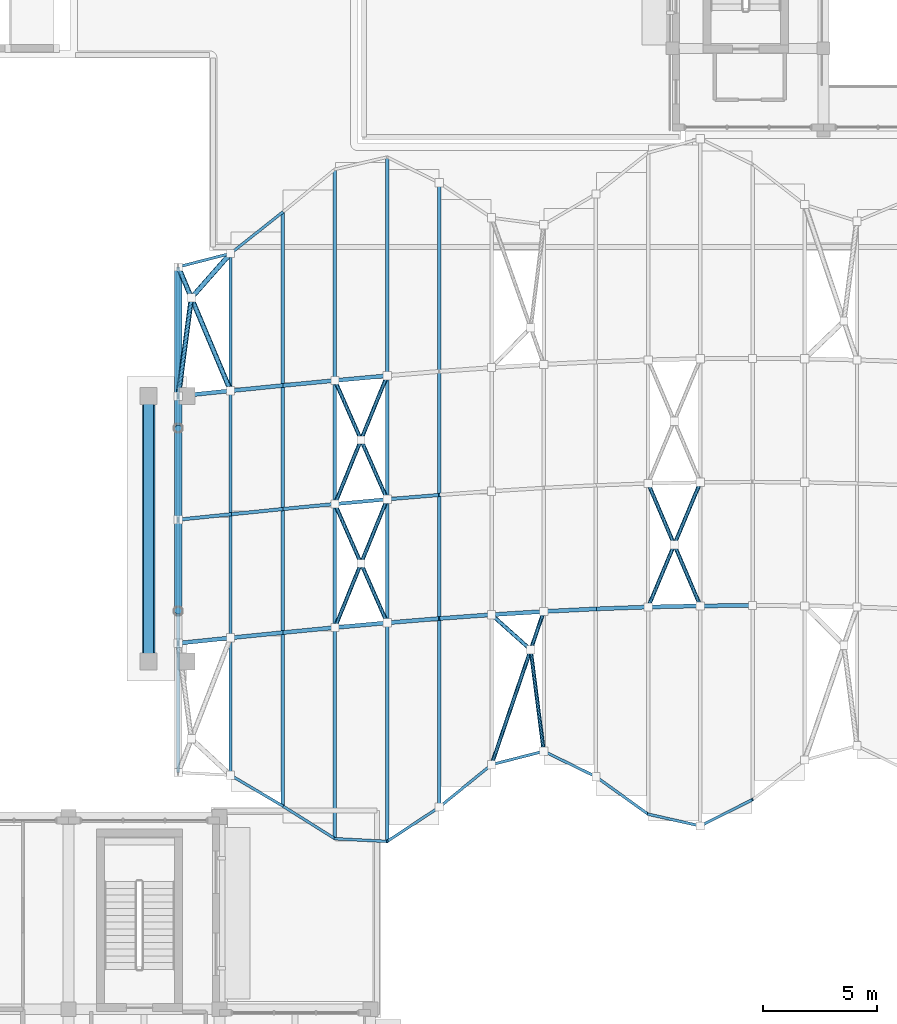
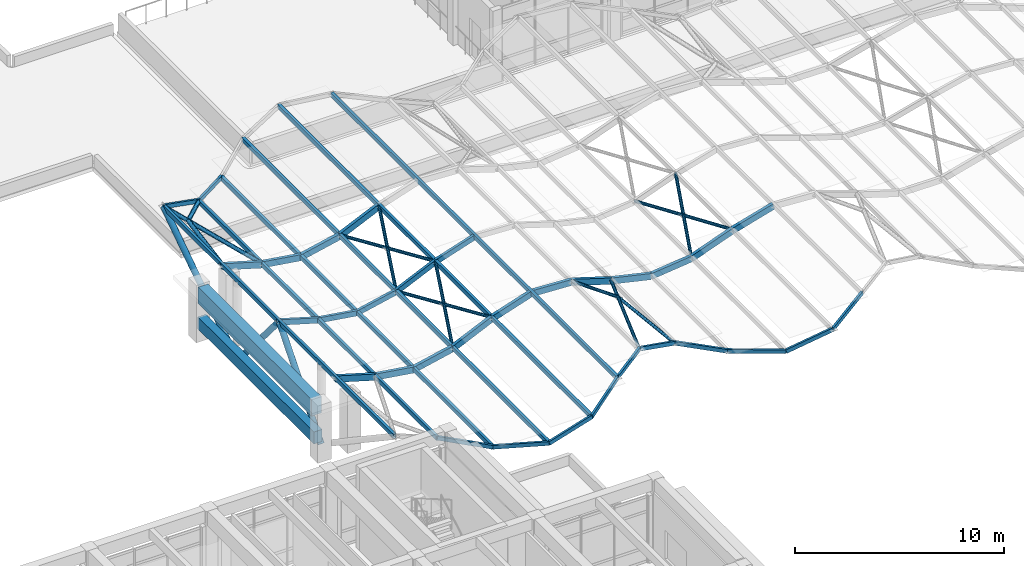
# One storey, part 10 of 79: 56 members, 2 beams.
"""IFC4 building model written with IfcOpenShell, lengths in metres."""

from ifc_helpers import new_model, si_unit, direction, frame, origin, origin_2d, place, context, subcontext, project, spatial, rectangle, hollow_rectangle, hollow_circle, extrude, material, material_profile, profile_set, type_object, element, save


model = new_model("IFC4")

# Units and contexts
model_context = context("Model", 3, precision=1e-05, world=origin(), true_north=direction((0.0, 1.0)))
body_context = subcontext(model_context, "Body", "Model", "MODEL_VIEW")
ifc_project = project(units=[si_unit("LENGTHUNIT", "METRE"), si_unit("AREAUNIT", "SQUARE_METRE"), si_unit("VOLUMEUNIT", "CUBIC_METRE"), si_unit("PLANEANGLEUNIT", "RADIAN"), si_unit("MASSUNIT", "GRAM", prefix="KILO")], contexts=[model_context])

# Site, building, storey
site_placement = place(None, origin())
site = spatial("IfcSite", under=ifc_project, at=site_placement, CompositionType="ELEMENT")
building_placement = place(site_placement, origin())
building = spatial("IfcBuilding", under=site, at=building_placement, Name="Kolvaren Faculty of Natural Sciences", CompositionType="ELEMENT")
storey_placement = place(building_placement, frame((0.0, 0.0, 10.199951171875)))
storey = spatial("IfcBuildingStorey", under=building, at=storey_placement, Name="L02", CompositionType="ELEMENT", Elevation=10.199951171875)

# Members
ifc_material_1 = material(Name="Structural steel EN 10210-1 S355J2H (white architectural finish)", Category="steel")
ifc_material_profile_1 = material_profile(ifc_material_1, hollow_circle(Radius=0.084228515625, WallThickness=0.008056640625, at=origin_2d()), Name="CHS 168.3x8")
ifc_profile_set_1 = profile_set([ifc_material_profile_1], Name="Structural steel EN 10210-1 S355J2H (white architectural finish)")
member_type_1 = type_object("IfcMemberType", Name="CanopyGridCrossBrace_CHS168", PredefinedType="BRACE", material=ifc_profile_set_1)
member_1_placement = place(storey_placement, frame((44.845458984375, 50.4853515625, 2.678955078125), z_axis=(0.373546791192, 0.917879527041, 0.134014807497), x_axis=(-0.926234785909, 0.376947106863, 0.0)))
element("IfcMember", 1, at=member_1_placement, inside=storey, type_object=member_type_1, Name="Canopy X-brace continuous diagonal S2-4-A", PredefinedType="BRACE", context=body_context, shape_type="SweptSolid", body=[
    extrude(hollow_circle(Radius=0.084228515625, WallThickness=0.008056640625, at=origin_2d()), origin(), (0.0, 0.0, 1.0), 6.1083984375),
])
for number, where, z_axis, x_axis, name in (
    (2, (44.845458984375, 55.885498046875, 2.678955078125), (0.398123505849, -0.906150568845, 0.142789427734), (0.915531942183, 0.402245276967, 0.0), "Canopy X-brace split diagonal S2-4-B1"),
    (3, (45.986328125, 53.288818359375, 3.088134765625), (0.398118661254, -0.906139542284, 0.14287288571), (0.915531942183, 0.402245276967, 0.0), "Canopy X-brace split diagonal S2-4-B2"),
):
    element("IfcMember", number, at=place(storey_placement, frame(where, z_axis=z_axis, x_axis=x_axis)), inside=storey, type_object=member_type_1, Name=name, PredefinedType="BRACE", context=body_context, shape_type="SweptSolid", body=[
        extrude(hollow_circle(Radius=0.084228515625, WallThickness=0.008056640625, at=origin_2d()), origin(), (0.0, 0.0, 1.0), 2.86572265625),
    ])
member_2_placement = place(storey_placement, frame((44.845458984375, 61.285400390625, 2.678955078125), z_axis=(0.39812108389, -0.906145056336, 0.142831157103), x_axis=(0.915531942183, 0.402245276967, 0.0)))
element("IfcMember", 4, at=member_2_placement, inside=storey, type_object=member_type_1, Name="Canopy X-brace continuous diagonal N2-4-A", PredefinedType="BRACE", context=body_context, shape_type="SweptSolid", body=[
    extrude(hollow_circle(Radius=0.084228515625, WallThickness=0.008056640625, at=origin_2d()), origin(), (0.0, 0.0, 1.0), 5.731201171875),
])
member_3_placement = place(storey_placement, frame((44.845458984375, 55.885498046875, 2.678955078125), z_axis=(0.373562496529, 0.917878147901, 0.133980471685), x_axis=(-0.926229054785, 0.376961189079, 0.0)))
element("IfcMember", 5, at=member_3_placement, inside=storey, type_object=member_type_1, Name="Canopy X-brace split diagonal N2-4-B1", PredefinedType="BRACE", context=body_context, shape_type="SweptSolid", body=[
    extrude(hollow_circle(Radius=0.084228515625, WallThickness=0.008056640625, at=origin_2d()), origin(), (0.0, 0.0, 1.0), 3.053955078125),
])
member_4_placement = place(storey_placement, frame((45.986328125, 58.688720703125, 3.088134765625), z_axis=(0.373531086643, 0.917880904755, 0.134049140231), x_axis=(-0.926240516391, 0.376933025611, 0.0)))
element("IfcMember", 6, at=member_4_placement, inside=storey, type_object=member_type_1, Name="Canopy X-brace split diagonal N2-4-B2", PredefinedType="BRACE", context=body_context, shape_type="SweptSolid", body=[
    extrude(hollow_circle(Radius=0.084228515625, WallThickness=0.008056640625, at=origin_2d()), origin(), (0.0, 0.0, 1.0), 3.05419921875),
])
member_5_placement = place(storey_placement, frame((51.69091796875, 44.492919921875, 3.81494140625), z_axis=(0.320515150213, 0.940454415182, -0.113205704136), x_axis=(-0.946539174177, 0.322588889686, 0.0)))
element("IfcMember", 7, at=member_5_placement, inside=storey, type_object=member_type_1, Name="Canopy X-brace continuous diagonal S1-7-A", PredefinedType="BRACE", context=body_context, shape_type="SweptSolid", body=[
    extrude(hollow_circle(Radius=0.084228515625, WallThickness=0.008056640625, at=origin_2d()), origin(), (0.0, 0.0, 1.0), 7.118896484375),
])
member_6_placement = place(storey_placement, frame((51.69091796875, 51.047119140625, 3.81494140625), z_axis=(0.720410130548, -0.645183280967, -0.254455846396), x_axis=(0.66714268782, 0.744929952471, 0.0)))
element("IfcMember", 8, at=member_6_placement, inside=storey, type_object=member_type_1, Name="Canopy X-brace split diagonal S1-7-B1", PredefinedType="BRACE", context=body_context, shape_type="SweptSolid", body=[
    extrude(hollow_circle(Radius=0.084228515625, WallThickness=0.008056640625, at=origin_2d()), origin(), (0.0, 0.0, 1.0), 2.375732421875),
])
member_7_placement = place(storey_placement, frame((53.40234375, 49.514404296875, 3.21044921875), z_axis=(0.127405616875, -0.990829555548, -0.044995562466), x_axis=(0.991834098231, 0.127534785791, 0.0)))
element("IfcMember", 9, at=member_7_placement, inside=storey, type_object=member_type_1, Name="Canopy X-brace split diagonal S1-7-B2", PredefinedType="BRACE", context=body_context, shape_type="SweptSolid", body=[
    extrude(hollow_circle(Radius=0.084228515625, WallThickness=0.008056640625, at=origin_2d()), origin(), (0.0, 0.0, 1.0), 4.476318359375),
])
member_8_placement = place(storey_placement, frame((58.536376953125, 51.38330078125, 2.59423828125), z_axis=(0.382789719675, 0.914296481093, 0.132415917367), x_axis=(-0.922419080545, 0.386190419154, 0.0)))
element("IfcMember", 10, at=member_8_placement, inside=storey, type_object=member_type_1, Name="Canopy X-brace continuous diagonal S2-10-A", PredefinedType="BRACE", context=body_context, shape_type="SweptSolid", body=[
    extrude(hollow_circle(Radius=0.084228515625, WallThickness=0.008056640625, at=origin_2d()), origin(), (0.0, 0.0, 1.0), 5.960693359375),
])
for number, where, z_axis, x_axis, name in (
    (11, (58.536376953125, 56.783203125, 2.59423828125), (0.388732307896, -0.911478685558, 0.134513191069), (0.919838357713, 0.392297585616, 0.0), "Canopy X-brace split diagonal S2-10-B1"),
    (12, (59.67724609375, 54.108154296875, 2.989013671875), (0.388736656434, -0.911488881779, 0.134431507982), (0.919838357713, 0.392297585616, 0.0), "Canopy X-brace split diagonal S2-10-B2"),
):
    element("IfcMember", number, at=place(storey_placement, frame(where, z_axis=z_axis, x_axis=x_axis)), inside=storey, type_object=member_type_1, Name=name, PredefinedType="BRACE", context=body_context, shape_type="SweptSolid", body=[
        extrude(hollow_circle(Radius=0.084228515625, WallThickness=0.008056640625, at=origin_2d()), origin(), (0.0, 0.0, 1.0), 2.934814453125),
    ])
ifc_material_profile_2 = material_profile(ifc_material_1, hollow_rectangle(XDim=0.14990234375, YDim=0.300048828125, WallThickness=0.010009765625, at=origin_2d()), Name="RHS 300x150x10")
ifc_profile_set_2 = profile_set([ifc_material_profile_2], Name="Structural steel EN 10210-1 S355J2H (white architectural finish)")
member_type_2 = type_object("IfcMemberType", Name="CanopyRidgeChord_RHS300", PredefinedType="PURLIN", material=ifc_profile_set_2)
member_9_placement = place(storey_placement, frame((38.0, 55.199951171875, 3.69970703125), z_axis=(0.935730666781, 0.096316381494, -0.33930999676), x_axis=(-0.102390752596, 0.994744255466, 0.0)))
element("IfcMember", 13, at=member_9_placement, inside=storey, type_object=member_type_2, Name="Covered street wave canopy ridge chord 1", PredefinedType="PURLIN", context=body_context, shape_type="SweptSolid", body=[
    extrude(hollow_rectangle(XDim=0.14990234375, YDim=0.300048828125, WallThickness=0.010009765625, at=origin_2d()), origin(), (0.0, 0.0, 1.0), 2.4384765625),
])
member_10_placement = place(storey_placement, frame((40.28173828125, 55.434814453125, 2.872314453125), z_axis=(0.971017580725, 0.097860122076, -0.218055622332), x_axis=(-0.100273058564, 0.994959955841, 0.0)))
element("IfcMember", 14, at=member_10_placement, inside=storey, type_object=member_type_2, Name="Covered street wave canopy ridge chord 2", PredefinedType="PURLIN", context=body_context, shape_type="SweptSolid", body=[
    extrude(hollow_rectangle(XDim=0.14990234375, YDim=0.300048828125, WallThickness=0.010009765625, at=origin_2d()), origin(), (0.0, 0.0, 1.0), 2.35009765625),
])
member_11_placement = place(storey_placement, frame((42.563720703125, 55.664794921875, 2.35986328125), z_axis=(0.987258042112, 0.095493395043, 0.127289315295), x_axis=(-0.096276543965, 0.995354623781, 0.0)))
element("IfcMember", 15, at=member_11_placement, inside=storey, type_object=member_type_2, Name="Covered street wave canopy ridge chord 3", PredefinedType="PURLIN", context=body_context, shape_type="SweptSolid", body=[
    extrude(hollow_rectangle(XDim=0.14990234375, YDim=0.300048828125, WallThickness=0.010009765625, at=origin_2d()), origin(), (0.0, 0.0, 1.0), 2.311279296875),
])
member_12_placement = place(storey_placement, frame((44.845458984375, 55.885498046875, 2.654052734375), z_axis=(0.937859846753, 0.084895081356, 0.33646951275), x_axis=(-0.090151417481, 0.995928070659, 0.0)))
element("IfcMember", 16, at=member_12_placement, inside=storey, type_object=member_type_2, Name="Covered street wave canopy ridge chord 4", PredefinedType="PURLIN", context=body_context, shape_type="SweptSolid", body=[
    extrude(hollow_rectangle(XDim=0.14990234375, YDim=0.300048828125, WallThickness=0.010009765625, at=origin_2d()), origin(), (0.0, 0.0, 1.0), 2.432861328125),
])
member_13_placement = place(storey_placement, frame((47.127197265625, 56.092041015625, 3.47265625), z_axis=(0.968378243131, 0.079981598769, 0.236318687556), x_axis=(-0.082313066731, 0.996606521675, 0.0)))
element("IfcMember", 17, at=member_13_placement, inside=storey, type_object=member_type_2, Name="Covered street wave canopy ridge chord 5", PredefinedType="PURLIN", context=body_context, shape_type="SweptSolid", body=[
    extrude(hollow_rectangle(XDim=0.14990234375, YDim=0.300048828125, WallThickness=0.010009765625, at=origin_2d()), origin(), (0.0, 0.0, 1.0), 2.3564453125),
])
ifc_material_profile_3 = material_profile(ifc_material_1, hollow_rectangle(XDim=0.175048828125, YDim=0.35009765625, WallThickness=0.012451171875, at=origin_2d()), Name="RHS 350x175x12.5")
ifc_profile_set_3 = profile_set([ifc_material_profile_3], Name="Structural steel EN 10210-1 S355J2H (white architectural finish)")
member_type_3 = type_object("IfcMemberType", Name="CanopySpineChord_RHS350", PredefinedType="PURLIN", material=ifc_profile_set_3)
member_14_placement = place(storey_placement, frame((38.0, 49.800048828125, 3.674560546875), z_axis=(0.935762452399, 0.096319653243, -0.339221398323), x_axis=(-0.102390752596, 0.994744255466, 0.0)))
element("IfcMember", 18, at=member_14_placement, inside=storey, type_object=member_type_3, Name="Covered street wave canopy s-spine chord 1", PredefinedType="PURLIN", context=body_context, shape_type="SweptSolid", body=[
    extrude(hollow_rectangle(XDim=0.175048828125, YDim=0.35009765625, WallThickness=0.012451171875, at=origin_2d()), origin(), (0.0, 0.0, 1.0), 2.4384765625),
])
member_15_placement = place(storey_placement, frame((38.0, 60.60009765625, 3.674560546875), z_axis=(0.935771472281, 0.09622045633, -0.339224668103), x_axis=(-0.102285431434, 0.994755090721, 0.0)))
element("IfcMember", 19, at=member_15_placement, inside=storey, type_object=member_type_3, Name="Covered street wave canopy n-spine chord 1", PredefinedType="PURLIN", context=body_context, shape_type="SweptSolid", body=[
    extrude(hollow_rectangle(XDim=0.175048828125, YDim=0.35009765625, WallThickness=0.012451171875, at=origin_2d()), origin(), (0.0, 0.0, 1.0), 2.438232421875),
])
for number, where, z_axis, x_axis, name in (
    (20, (40.28173828125, 50.034912109375, 2.847412109375), (0.970995579953, 0.097857904816, -0.218154564877), (-0.100273058564, 0.994959955841, 0.0), "Covered street wave canopy s-spine chord 2"),
    (21, (40.28173828125, 60.834716796875, 2.847412109375), (0.970985703932, 0.09796079157, -0.218152346021), (-0.100378433569, 0.994949330405, 0.0), "Covered street wave canopy n-spine chord 2"),
):
    element("IfcMember", number, at=place(storey_placement, frame(where, z_axis=z_axis, x_axis=x_axis)), inside=storey, type_object=member_type_3, Name=name, PredefinedType="PURLIN", context=body_context, shape_type="SweptSolid", body=[
        extrude(hollow_rectangle(XDim=0.175048828125, YDim=0.35009765625, WallThickness=0.012451171875, at=origin_2d()), origin(), (0.0, 0.0, 1.0), 2.35009765625),
    ])
for number, where, z_axis, x_axis, name in (
    (22, (42.563720703125, 50.264892578125, 2.334716796875), (0.987267995598, 0.095388722451, 0.127290598619), (-0.096171028914, 0.995364824171, 0.0), "Covered street wave canopy s-spine chord 3"),
    (23, (42.563720703125, 61.06494140625, 2.334716796875), (0.987267995598, 0.095388722451, 0.127290598619), (-0.096171028914, 0.995364824171, 0.0), "Covered street wave canopy n-spine chord 3"),
):
    element("IfcMember", number, at=place(storey_placement, frame(where, z_axis=z_axis, x_axis=x_axis)), inside=storey, type_object=member_type_3, Name=name, PredefinedType="PURLIN", context=body_context, shape_type="SweptSolid", body=[
        extrude(hollow_rectangle(XDim=0.175048828125, YDim=0.35009765625, WallThickness=0.012451171875, at=origin_2d()), origin(), (0.0, 0.0, 1.0), 2.311279296875),
    ])
for number, where, z_axis, x_axis, name in (
    (24, (44.845458984375, 50.4853515625, 2.62890625), (0.937851852393, 0.084994705647, 0.336466644669), (-0.090257111858, 0.995918497548, 0.0), "Covered street wave canopy s-spine chord 4"),
    (25, (44.845458984375, 61.285400390625, 2.62890625), (0.937851852393, 0.084994705647, 0.336466644669), (-0.090257111858, 0.995918497548, 0.0), "Covered street wave canopy n-spine chord 4"),
):
    element("IfcMember", number, at=place(storey_placement, frame(where, z_axis=z_axis, x_axis=x_axis)), inside=storey, type_object=member_type_3, Name=name, PredefinedType="PURLIN", context=body_context, shape_type="SweptSolid", body=[
        extrude(hollow_rectangle(XDim=0.175048828125, YDim=0.35009765625, WallThickness=0.012451171875, at=origin_2d()), origin(), (0.0, 0.0, 1.0), 2.432861328125),
    ])
member_16_placement = place(storey_placement, frame((47.127197265625, 50.692138671875, 3.447509765625), z_axis=(0.968354529662, 0.079979640195, 0.236416501197), x_axis=(-0.082313066731, 0.996606521675, 0.0)))
element("IfcMember", 26, at=member_16_placement, inside=storey, type_object=member_type_3, Name="Covered street wave canopy s-spine chord 5", PredefinedType="PURLIN", context=body_context, shape_type="SweptSolid", body=[
    extrude(hollow_rectangle(XDim=0.175048828125, YDim=0.35009765625, WallThickness=0.012451171875, at=origin_2d()), origin(), (0.0, 0.0, 1.0), 2.3564453125),
])
member_17_placement = place(storey_placement, frame((49.4091796875, 50.880615234375, 4.004638671875), z_axis=(0.991916564994, 0.072382526998, -0.104222348258), x_axis=(-0.072778879193, 0.997348101088, 0.0)))
element("IfcMember", 27, at=member_17_placement, inside=storey, type_object=member_type_3, Name="Covered street wave canopy s-spine chord 6", PredefinedType="PURLIN", context=body_context, shape_type="SweptSolid", body=[
    extrude(hollow_rectangle(XDim=0.175048828125, YDim=0.35009765625, WallThickness=0.012451171875, at=origin_2d()), origin(), (0.0, 0.0, 1.0), 2.30029296875),
])
member_18_placement = place(storey_placement, frame((51.69091796875, 51.047119140625, 3.764892578125), z_axis=(0.941320325347, 0.058114897039, -0.332473613735), x_axis=(-0.061620319415, 0.998099662476, 0.0)))
element("IfcMember", 28, at=member_18_placement, inside=storey, type_object=member_type_3, Name="Covered street wave canopy s-spine chord 7", PredefinedType="PURLIN", context=body_context, shape_type="SweptSolid", body=[
    extrude(hollow_rectangle(XDim=0.175048828125, YDim=0.35009765625, WallThickness=0.012451171875, at=origin_2d()), origin(), (0.0, 0.0, 1.0), 2.424072265625),
])
member_19_placement = place(storey_placement, frame((53.97265625, 51.18798828125, 2.958984375), z_axis=(0.966160822962, 0.047760143399, -0.25348024159), x_axis=(-0.049372625492, 0.998780428248, 0.0)))
element("IfcMember", 29, at=member_19_placement, inside=storey, type_object=member_type_3, Name="Covered street wave canopy s-spine chord 8", PredefinedType="PURLIN", context=body_context, shape_type="SweptSolid", body=[
    extrude(hollow_rectangle(XDim=0.175048828125, YDim=0.35009765625, WallThickness=0.012451171875, at=origin_2d()), origin(), (0.0, 0.0, 1.0), 2.361572265625),
])
member_20_placement = place(storey_placement, frame((56.25439453125, 51.30078125, 2.3603515625), z_axis=(0.99612382728, 0.036021167607, 0.080248340852), x_axis=(-0.036137715307, 0.999346819444, 0.0)))
element("IfcMember", 30, at=member_20_placement, inside=storey, type_object=member_type_3, Name="Covered street wave canopy s-spine chord 9", PredefinedType="PURLIN", context=body_context, shape_type="SweptSolid", body=[
    extrude(hollow_rectangle(XDim=0.175048828125, YDim=0.35009765625, WallThickness=0.012451171875, at=origin_2d()), origin(), (0.0, 0.0, 1.0), 2.290771484375),
])
member_21_placement = place(storey_placement, frame((58.536376953125, 51.38330078125, 2.544189453125), z_axis=(0.94482114638, 0.020623102275, 0.326936827241), x_axis=(-0.021822321893, 0.999761864779, 0.0)))
element("IfcMember", 31, at=member_21_placement, inside=storey, type_object=member_type_3, Name="Covered street wave canopy s-spine chord 10", PredefinedType="PURLIN", context=body_context, shape_type="SweptSolid", body=[
    extrude(hollow_rectangle(XDim=0.175048828125, YDim=0.35009765625, WallThickness=0.012451171875, at=origin_2d()), origin(), (0.0, 0.0, 1.0), 2.4150390625),
])
member_22_placement = place(storey_placement, frame((60.818115234375, 51.43310546875, 3.333740234375), z_axis=(0.96313099704, 0.007109878977, 0.268938900425), x_axis=(-0.007381846583, 0.999972753799, 0.0)))
element("IfcMember", 32, at=member_22_placement, inside=storey, type_object=member_type_3, Name="Covered street wave canopy s-spine chord 11", PredefinedType="PURLIN", context=body_context, shape_type="SweptSolid", body=[
    extrude(hollow_rectangle(XDim=0.175048828125, YDim=0.35009765625, WallThickness=0.012451171875, at=origin_2d()), origin(), (0.0, 0.0, 1.0), 2.369384765625),
])
ifc_material_profile_4 = material_profile(ifc_material_1, hollow_rectangle(XDim=0.14990234375, YDim=0.25, WallThickness=0.010009765625, at=origin_2d()), Name="RHS 250x150x10")
ifc_profile_set_4 = profile_set([ifc_material_profile_4], Name="Structural steel EN 10210-1 S355J2H (white architectural finish)")
member_type_4 = type_object("IfcMemberType", Name="CanopyTransverseRafter_RHS250", PredefinedType="RAFTER", material=ifc_profile_set_4)
member_23_placement = place(storey_placement, frame((38.0, 44.14990234375, 3.724609375), z_axis=(0.0, 1.0, 0.0), x_axis=(-1.0, 0.0, 0.0)))
element("IfcMember", 33, at=member_23_placement, inside=storey, type_object=member_type_4, Name="Covered street canopy transverse rafter 1", PredefinedType="RAFTER", context=body_context, shape_type="SweptSolid", body=[
    extrude(hollow_rectangle(XDim=0.14990234375, YDim=0.25, WallThickness=0.010009765625, at=origin_2d()), origin(), (0.0, 0.0, 1.0), 22.10009765625),
])
member_24_placement = place(storey_placement, frame((40.28173828125, 44.033203125, 2.8974609375), z_axis=(0.0, 1.0, 0.0), x_axis=(-1.0, 0.0, 0.0)))
element("IfcMember", 34, at=member_24_placement, inside=storey, type_object=member_type_4, Name="Covered street canopy transverse rafter 2", PredefinedType="RAFTER", context=body_context, shape_type="SweptSolid", body=[
    extrude(hollow_rectangle(XDim=0.14990234375, YDim=0.25, WallThickness=0.010009765625, at=origin_2d()), origin(), (0.0, 0.0, 1.0), 22.802978515625),
])
member_25_placement = place(storey_placement, frame((42.563720703125, 42.685546875, 2.384765625), z_axis=(0.0, 1.0, 0.0), x_axis=(-1.0, 0.0, 0.0)))
element("IfcMember", 35, at=member_25_placement, inside=storey, type_object=member_type_4, Name="Covered street canopy transverse rafter 3", PredefinedType="RAFTER", context=body_context, shape_type="SweptSolid", body=[
    extrude(hollow_rectangle(XDim=0.14990234375, YDim=0.25, WallThickness=0.010009765625, at=origin_2d()), origin(), (0.0, 0.0, 1.0), 25.958740234375),
])
member_26_placement = place(storey_placement, frame((44.845458984375, 41.256103515625, 2.678955078125), z_axis=(0.0, 1.0, 0.0), x_axis=(-1.0, 0.0, 0.0)))
element("IfcMember", 36, at=member_26_placement, inside=storey, type_object=member_type_4, Name="Covered street canopy transverse rafter 4", PredefinedType="RAFTER", context=body_context, shape_type="SweptSolid", body=[
    extrude(hollow_rectangle(XDim=0.14990234375, YDim=0.25, WallThickness=0.010009765625, at=origin_2d()), origin(), (0.0, 0.0, 1.0), 29.2587890625),
])
member_27_placement = place(storey_placement, frame((47.127197265625, 41.13720703125, 3.49755859375), z_axis=(0.0, 1.0, 0.0), x_axis=(-1.0, 0.0, 0.0)))
element("IfcMember", 37, at=member_27_placement, inside=storey, type_object=member_type_4, Name="Covered street canopy transverse rafter 5", PredefinedType="RAFTER", context=body_context, shape_type="SweptSolid", body=[
    extrude(hollow_rectangle(XDim=0.14990234375, YDim=0.25, WallThickness=0.010009765625, at=origin_2d()), origin(), (0.0, 0.0, 1.0), 29.909912109375),
])
member_28_placement = place(storey_placement, frame((49.4091796875, 42.63720703125, 4.054443359375), z_axis=(0.0, 1.0, 0.0), x_axis=(-1.0, 0.0, 0.0)))
element("IfcMember", 38, at=member_28_placement, inside=storey, type_object=member_type_4, Name="Covered street canopy transverse rafter 6", PredefinedType="RAFTER", context=body_context, shape_type="SweptSolid", body=[
    extrude(hollow_rectangle(XDim=0.14990234375, YDim=0.25, WallThickness=0.010009765625, at=origin_2d()), origin(), (0.0, 0.0, 1.0), 27.28662109375),
])
ifc_material_profile_5 = material_profile(ifc_material_1, hollow_rectangle(XDim=0.1201171875, YDim=0.219970703125, WallThickness=0.008056640625, at=origin_2d()), Name="RHS 220x120x8")
ifc_profile_set_5 = profile_set([ifc_material_profile_5], Name="Structural steel EN 10210-1 S355J2H (white architectural finish)")
member_type_5 = type_object("IfcMemberType", Name="CanopyWaveEdgeChord_RHS220", PredefinedType="RAFTER", material=ifc_profile_set_5)
member_29_placement = place(storey_placement, frame((38.0, 66.25, 3.73974609375), z_axis=(0.913827919786, 0.234763624589, -0.331367731666), x_axis=(-0.24882162771, 0.968549326355, 0.0)))
element("IfcMember", 39, at=member_29_placement, inside=storey, type_object=member_type_5, Name="Covered street wave canopy n-wave chord 1", PredefinedType="RAFTER", context=body_context, shape_type="SweptSolid", body=[
    extrude(hollow_rectangle(XDim=0.1201171875, YDim=0.219970703125, WallThickness=0.008056640625, at=origin_2d()), origin(), (0.0, 0.0, 1.0), 2.496826171875),
])
member_30_placement = place(storey_placement, frame((40.28173828125, 44.033203125, 2.912353515625), z_axis=(0.845382935069, -0.499252573187, -0.189933044147), x_axis=(0.508508938204, 0.861056711121, 0.0)))
element("IfcMember", 40, at=member_30_placement, inside=storey, type_object=member_type_5, Name="Covered street wave canopy s-wave chord 2", PredefinedType="RAFTER", context=body_context, shape_type="SweptSolid", body=[
    extrude(hollow_rectangle(XDim=0.1201171875, YDim=0.219970703125, WallThickness=0.008056640625, at=origin_2d()), origin(), (0.0, 0.0, 1.0), 2.699462890625),
])
member_31_placement = place(storey_placement, frame((40.28173828125, 66.836181640625, 2.912353515625), z_axis=(0.771912133033, 0.611616695971, -0.173426284302), x_axis=(-0.621027212599, 0.783789002992, 0.0)))
element("IfcMember", 41, at=member_31_placement, inside=storey, type_object=member_type_5, Name="Covered street wave canopy n-wave chord 2", PredefinedType="RAFTER", context=body_context, shape_type="SweptSolid", body=[
    extrude(hollow_rectangle(XDim=0.1201171875, YDim=0.219970703125, WallThickness=0.008056640625, at=origin_2d()), origin(), (0.0, 0.0, 1.0), 2.956298828125),
])
member_32_placement = place(storey_placement, frame((42.563720703125, 42.685546875, 2.399658203125), z_axis=(0.842423903798, -0.527754328776, 0.108615536494), x_axis=(0.530895193883, 0.847437486256, 0.0)))
element("IfcMember", 42, at=member_32_placement, inside=storey, type_object=member_type_5, Name="Covered street wave canopy s-wave chord 3", PredefinedType="RAFTER", context=body_context, shape_type="SweptSolid", body=[
    extrude(hollow_rectangle(XDim=0.1201171875, YDim=0.219970703125, WallThickness=0.008056640625, at=origin_2d()), origin(), (0.0, 0.0, 1.0), 2.70849609375),
])
member_33_placement = place(storey_placement, frame((44.845458984375, 41.256103515625, 2.69384765625), z_axis=(0.940127778466, -0.048988040671, 0.337283162978), x_axis=(0.052037255001, 0.998645144229, 0.0)))
element("IfcMember", 43, at=member_33_placement, inside=storey, type_object=member_type_5, Name="Covered street wave canopy s-wave chord 4", PredefinedType="RAFTER", context=body_context, shape_type="SweptSolid", body=[
    extrude(hollow_rectangle(XDim=0.1201171875, YDim=0.219970703125, WallThickness=0.008056640625, at=origin_2d()), origin(), (0.0, 0.0, 1.0), 2.427001953125),
])
member_34_placement = place(storey_placement, frame((47.127197265625, 41.13720703125, 3.512451171875), z_axis=(0.818770637683, 0.538196939973, 0.199896715009), x_axis=(-0.549283135558, 0.83563630665, 0.0)))
element("IfcMember", 44, at=member_34_placement, inside=storey, type_object=member_type_5, Name="Covered street wave canopy s-wave chord 5", PredefinedType="RAFTER", context=body_context, shape_type="SweptSolid", body=[
    extrude(hollow_rectangle(XDim=0.1201171875, YDim=0.219970703125, WallThickness=0.008056640625, at=origin_2d()), origin(), (0.0, 0.0, 1.0), 2.787109375),
])
member_35_placement = place(storey_placement, frame((49.4091796875, 42.63720703125, 4.069580078125), z_axis=(0.77324947382, 0.628875374546, -0.081246627786), x_axis=(-0.630961314979, 0.775814294145, 0.0)))
element("IfcMember", 45, at=member_35_placement, inside=storey, type_object=member_type_5, Name="Covered street wave canopy s-wave chord 6", PredefinedType="RAFTER", context=body_context, shape_type="SweptSolid", body=[
    extrude(hollow_rectangle(XDim=0.1201171875, YDim=0.219970703125, WallThickness=0.008056640625, at=origin_2d()), origin(), (0.0, 0.0, 1.0), 2.950927734375),
])
member_36_placement = place(storey_placement, frame((51.69091796875, 44.492919921875, 3.829833984375), z_axis=(0.916410528116, 0.23542710015, -0.323675492543), x_axis=(-0.24882162771, 0.968549326355, 0.0)))
element("IfcMember", 46, at=member_36_placement, inside=storey, type_object=member_type_5, Name="Covered street wave canopy s-wave chord 7", PredefinedType="RAFTER", context=body_context, shape_type="SweptSolid", body=[
    extrude(hollow_rectangle(XDim=0.1201171875, YDim=0.219970703125, WallThickness=0.008056640625, at=origin_2d()), origin(), (0.0, 0.0, 1.0), 2.48974609375),
])
member_37_placement = place(storey_placement, frame((53.97265625, 45.0791015625, 3.02392578125), z_axis=(0.874657855751, -0.427034431392, -0.229380098914), x_axis=(0.438732385751, 0.898617768405, 0.0)))
element("IfcMember", 47, at=member_37_placement, inside=storey, type_object=member_type_5, Name="Covered street wave canopy s-wave chord 8", PredefinedType="RAFTER", context=body_context, shape_type="SweptSolid", body=[
    extrude(hollow_rectangle(XDim=0.1201171875, YDim=0.219970703125, WallThickness=0.008056640625, at=origin_2d()), origin(), (0.0, 0.0, 1.0), 2.608642578125),
])
member_38_placement = place(storey_placement, frame((56.25439453125, 43.965087890625, 2.425537109375), z_axis=(0.81062174779, -0.581927027675, 0.065217455262), x_axis=(0.583168549426, 0.812351182039, 0.0)))
element("IfcMember", 48, at=member_38_placement, inside=storey, type_object=member_type_5, Name="Covered street wave canopy s-wave chord 9", PredefinedType="RAFTER", context=body_context, shape_type="SweptSolid", body=[
    extrude(hollow_rectangle(XDim=0.1201171875, YDim=0.219970703125, WallThickness=0.008056640625, at=origin_2d()), origin(), (0.0, 0.0, 1.0), 2.815185546875),
])
member_39_placement = place(storey_placement, frame((58.536376953125, 42.326904296875, 2.609130859375), z_axis=(0.92444945374, -0.207521394602, 0.319887602546), x_axis=(0.219030228774, 0.975718073463, 0.0)))
element("IfcMember", 49, at=member_39_placement, inside=storey, type_object=member_type_5, Name="Covered street wave canopy s-wave chord 10", PredefinedType="RAFTER", context=body_context, shape_type="SweptSolid", body=[
    extrude(hollow_rectangle(XDim=0.1201171875, YDim=0.219970703125, WallThickness=0.008056640625, at=origin_2d()), origin(), (0.0, 0.0, 1.0), 2.46826171875),
])
member_40_placement = place(storey_placement, frame((60.818115234375, 41.814697265625, 3.398681640625), z_axis=(0.866072810812, 0.437530310544, 0.241836956908), x_axis=(-0.450914861505, 0.892566965372, 0.0)))
element("IfcMember", 50, at=member_40_placement, inside=storey, type_object=member_type_5, Name="Covered street wave canopy s-wave chord 11", PredefinedType="RAFTER", context=body_context, shape_type="SweptSolid", body=[
    extrude(hollow_rectangle(XDim=0.1201171875, YDim=0.219970703125, WallThickness=0.008056640625, at=origin_2d()), origin(), (0.0, 0.0, 1.0), 2.634765625),
])
ifc_material_profile_6 = material_profile(ifc_material_1, hollow_circle(Radius=0.109619140625, WallThickness=0.010009765625, at=origin_2d()), Name="CHS 219.1x10")
ifc_profile_set_6 = profile_set([ifc_material_profile_6], Name="Structural steel EN 10210-1 S355J2H (white architectural finish)")
member_type_6 = type_object("IfcMemberType", Name="CanopyWindBrace_CHS219", PredefinedType="BRACE", material=ifc_profile_set_6)
member_41_placement = place(storey_placement, frame((38.0, 66.25, 3.724609375), z_axis=(0.3845006446, -0.912541065469, -0.139384569217), x_axis=(0.921536807556, 0.388291014987, 0.0)))
element("IfcMember", 51, at=member_41_placement, inside=storey, type_object=member_type_6, Name="Canopy X-brace continuous diagonal N1-1-A", PredefinedType="BRACE", context=body_context, shape_type="SweptSolid", body=[
    extrude(hollow_circle(Radius=0.109619140625, WallThickness=0.010009765625, at=origin_2d()), origin(), (0.0, 0.0, 1.0), 5.934326171875),
])
member_42_placement = place(storey_placement, frame((38.0, 60.60009765625, 3.724609375), z_axis=(0.131501193212, 0.990169660657, -0.047660038789), x_axis=(-0.99129615507, 0.13165079925, 0.0)))
element("IfcMember", 52, at=member_42_placement, inside=storey, type_object=member_type_6, Name="Canopy X-brace split diagonal N1-1-B1", PredefinedType="BRACE", context=body_context, shape_type="SweptSolid", body=[
    extrude(hollow_circle(Radius=0.109619140625, WallThickness=0.010009765625, at=origin_2d()), origin(), (0.0, 0.0, 1.0), 4.3388671875),
])
member_43_placement = place(storey_placement, frame((38.570556640625, 64.896240234375, 3.517822265625), z_axis=(0.643266665942, 0.72926193859, -0.233205963498), x_axis=(-0.74993975433, 0.661506133664, 0.0)))
element("IfcMember", 53, at=member_43_placement, inside=storey, type_object=member_type_6, Name="Canopy X-brace split diagonal N1-1-B2", PredefinedType="BRACE", context=body_context, shape_type="SweptSolid", body=[
    extrude(hollow_circle(Radius=0.109619140625, WallThickness=0.010009765625, at=origin_2d()), origin(), (0.0, 0.0, 1.0), 2.66015625),
])

# Beams
ifc_material_2 = material(Name="Concrete C40/50", Category="concrete")
ifc_material_profile_7 = material_profile(ifc_material_2, rectangle(XDim=0.550048828125, YDim=0.949951171875, at=origin_2d()), Name="RC BM 550x950")
ifc_profile_set_7 = profile_set([ifc_material_profile_7], Name="Concrete C40/50")
beam_type_1 = type_object("IfcBeamType", Name="HallGirder_550x950", PredefinedType="BEAM", material=ifc_profile_set_7)
beam_1_placement = place(storey_placement, frame((36.699951171875, 49.3798828125, 2.75), z_axis=(0.0, 1.0, 0.0), x_axis=(-1.0, 0.0, 0.0)))
element("IfcBeam", 54, at=beam_1_placement, inside=storey, type_object=beam_type_1, Name="West Covered-Street Monumental Gateway Pishtaq monumental portal lintel girder", PredefinedType="BEAM", context=body_context, shape_type="SweptSolid", body=[
    extrude(rectangle(XDim=0.550048828125, YDim=0.949951171875, at=origin_2d()), origin(), (0.0, 0.0, 1.0), 10.840087890625),
])
ifc_material_3 = material(Name="Concrete C35/45", Category="concrete")
ifc_material_profile_8 = material_profile(ifc_material_3, rectangle(XDim=0.449951171875, YDim=0.699951171875, at=origin_2d()), Name="RC SP 450x700")
ifc_profile_set_8 = profile_set([ifc_material_profile_8], Name="Concrete C35/45")
beam_type_2 = type_object("IfcBeamType", Name="PerimeterSpandrel_450x700", PredefinedType="SPANDREL", material=ifc_profile_set_8)
beam_2_placement = place(storey_placement, frame((36.699951171875, 49.25, 1.050048828125), z_axis=(0.0, 1.0, 0.0), x_axis=(-1.0, 0.0, 0.0)))
element("IfcBeam", 55, at=beam_2_placement, inside=storey, type_object=beam_type_2, Name="West Covered-Street Monumental Gateway Pishtaq pointed-arch crown spandrel beam", PredefinedType="SPANDREL", context=body_context, shape_type="SweptSolid", body=[
    extrude(rectangle(XDim=0.449951171875, YDim=0.699951171875, at=origin_2d()), origin(), (0.0, 0.0, 1.0), 11.10009765625),
])

# Members
ifc_material_profile_9 = material_profile(ifc_material_1, hollow_circle(Radius=0.161865234375, WallThickness=0.012451171875, at=origin_2d()), Name="CHS 323.9x12.5")
ifc_profile_set_9 = profile_set([ifc_material_profile_9], Name="Structural steel EN 10210-1 S355J2H (white architectural finish)")
member_type_7 = type_object("IfcMemberType", Name="TreeBranchPortal_CHS324", PredefinedType="STRUT", material=ifc_profile_set_9)
member_44_placement = place(storey_placement, frame((38.0, 51.199951171875, -1.0), z_axis=(0.0, 0.646154366478, 0.76320674439), x_axis=(-1.0, 0.0, 0.0)))
element("IfcMember", 56, at=member_44_placement, inside=storey, type_object=member_type_7, Name="Covered street canopy portal branch W-S-RIDGE", PredefinedType="STRUT", context=body_context, shape_type="SweptSolid", body=[
    extrude(hollow_circle(Radius=0.161865234375, WallThickness=0.012451171875, at=origin_2d()), origin(), (0.0, 0.0, 1.0), 6.1904296875),
])
member_45_placement = place(storey_placement, frame((38.0, 59.199951171875, -1.0), z_axis=(0.0, 0.830711309173, 0.556703440632), x_axis=(-1.0, 0.0, 0.0)))
element("IfcMember", 57, at=member_45_placement, inside=storey, type_object=member_type_7, Name="Covered street canopy portal branch W-N-EAVE", PredefinedType="STRUT", context=body_context, shape_type="SweptSolid", body=[
    extrude(hollow_circle(Radius=0.161865234375, WallThickness=0.012451171875, at=origin_2d()), origin(), (0.0, 0.0, 1.0), 8.48681640625),
])
member_46_placement = place(storey_placement, frame((38.0, 59.199951171875, -1.0), z_axis=(0.0, -0.646154366478, 0.76320674439), x_axis=(1.0, 0.0, 0.0)))
element("IfcMember", 58, at=member_46_placement, inside=storey, type_object=member_type_7, Name="Covered street canopy portal branch W-N-RIDGE", PredefinedType="STRUT", context=body_context, shape_type="SweptSolid", body=[
    extrude(hollow_circle(Radius=0.161865234375, WallThickness=0.012451171875, at=origin_2d()), origin(), (0.0, 0.0, 1.0), 6.1904296875),
])

save(model, "model.ifc")
